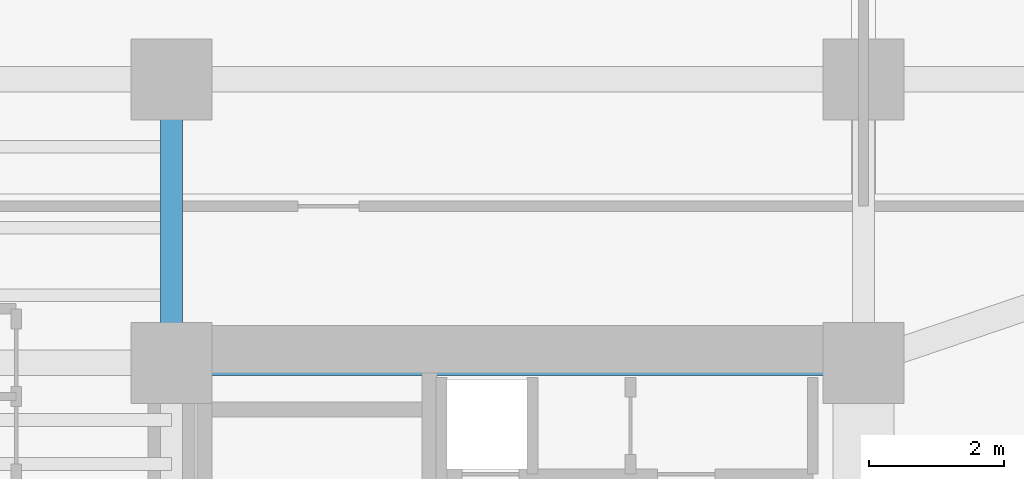
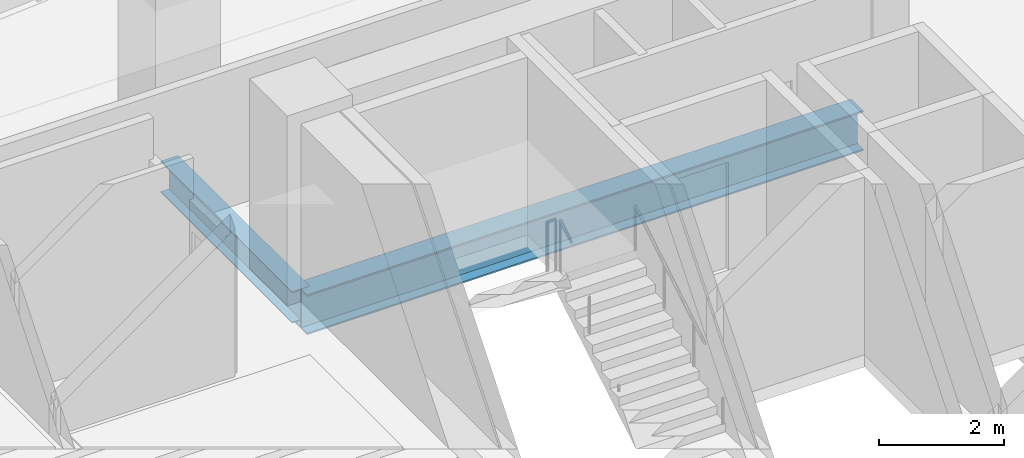
# One storey, part 9 of 34: 2 beams.
"""IFC4 building model written with IfcOpenShell, lengths in metres."""

from ifc_helpers import new_model, si_unit, direction, frame, origin, origin_2d, place, context, subcontext, project, spatial, i_section, extrude, source, transform, mapped, material, material_profile, profile_set, type_object, element, save


model = new_model("IFC4")

# Units and contexts
model_context = context("Model", 3, precision=1e-05, world=origin(), true_north=direction((0.0, 1.0)))
body_context = subcontext(model_context, "Body", "Model", "MODEL_VIEW")
ifc_project = project(units=[si_unit("LENGTHUNIT", "METRE"), si_unit("AREAUNIT", "SQUARE_METRE"), si_unit("VOLUMEUNIT", "CUBIC_METRE"), si_unit("PLANEANGLEUNIT", "RADIAN"), si_unit("MASSUNIT", "GRAM", prefix="KILO")], contexts=[model_context])

# Site, building, storey
site_placement = place(None, origin())
site = spatial("IfcSite", under=ifc_project, at=site_placement, CompositionType="ELEMENT")
building_placement = place(site_placement, origin())
building = spatial("IfcBuilding", under=site, at=building_placement, Name="Valdorenza Pilgrim Sanctuary Tower", CompositionType="ELEMENT")
storey_placement = place(building_placement, frame((0.0, 0.0, 120.5)))
storey = spatial("IfcBuildingStorey", under=building, at=storey_placement, Name="L30", CompositionType="ELEMENT", Elevation=120.5)

# Beams
ifc_material = material(Name="Steel ASTM A992 Grade 50", Category="steel")
ifc_material_profile_1 = material_profile(ifc_material, i_section(OverallWidth=0.323974609375, OverallDepth=0.611083984375, WebThickness=0.0126953125, FlangeThickness=0.01904296875, at=origin_2d()), Name="W24X104")
ifc_profile_set_1 = profile_set([ifc_material_profile_1], Name="Steel ASTM A992 Grade 50")
beam_type_1 = type_object("IfcBeamType", Name="STR-BM-GRD-W24B", PredefinedType="BEAM", material=ifc_profile_set_1)
shared_shape_1 = source(origin(), body_context, "Body", "SweptSolid", [
    extrude(i_section(OverallWidth=0.323974609375, OverallDepth=0.611083984375, WebThickness=0.0126953125, FlangeThickness=0.01904296875, at=origin_2d()), origin(), (0.0, 0.0, 1.0), 4.199951171875),
])
beam_1_placement = place(storey_placement, frame((-22.64990234375, 10.60009765625, -0.54541015625), z_axis=(0.0, 1.0, 0.0), x_axis=(-1.0, 0.0, 0.0)))
element("IfcBeam", 1, at=beam_1_placement, inside=storey, type_object=beam_type_1, Name="L30 Core Tie Girder CA-W-N1N2", PredefinedType="BEAM", context=body_context, shape_type="MappedRepresentation", body=[
    mapped(shared_shape_1, transform((0.0, 0.0, 0.0), x_axis=(1.0, 0.0, 0.0), y_axis=(0.0, 1.0, 0.0), z_axis=(0.0, 0.0, 1.0), scale=1.0)),
])
ifc_material_profile_2 = material_profile(ifc_material, i_section(OverallWidth=0.382080078125, OverallDepth=0.779052734375, WebThickness=0.01806640625, FlangeThickness=0.030029296875, at=origin_2d()), Name="W30X191")
ifc_profile_set_2 = profile_set([ifc_material_profile_2], Name="Steel ASTM A992 Grade 50")
beam_type_2 = type_object("IfcBeamType", Name="STR-BM-GRD-W30", PredefinedType="BEAM", material=ifc_profile_set_2)
shared_shape_2 = source(origin(), body_context, "Body", "SweptSolid", [
    extrude(i_section(OverallWidth=0.382080078125, OverallDepth=0.779052734375, WebThickness=0.01806640625, FlangeThickness=0.030029296875, at=origin_2d()), origin(), (0.0, 0.0, 1.0), 10.25),
])
beam_2_placement = place(storey_placement, frame((-22.64990234375, 10.60009765625, -0.62939453125), z_axis=(1.0, 0.0, 0.0), x_axis=(0.0, 1.0, 0.0)))
element("IfcBeam", 2, at=beam_2_placement, inside=storey, type_object=beam_type_2, Name="L30 Floor Girder CA-XC-N1", PredefinedType="BEAM", context=body_context, shape_type="MappedRepresentation", body=[
    mapped(shared_shape_2, transform((0.0, 0.0, 0.0), x_axis=(1.0, 0.0, 0.0), y_axis=(0.0, 1.0, 0.0), z_axis=(0.0, 0.0, 1.0), scale=1.0)),
])

save(model, "model.ifc")
